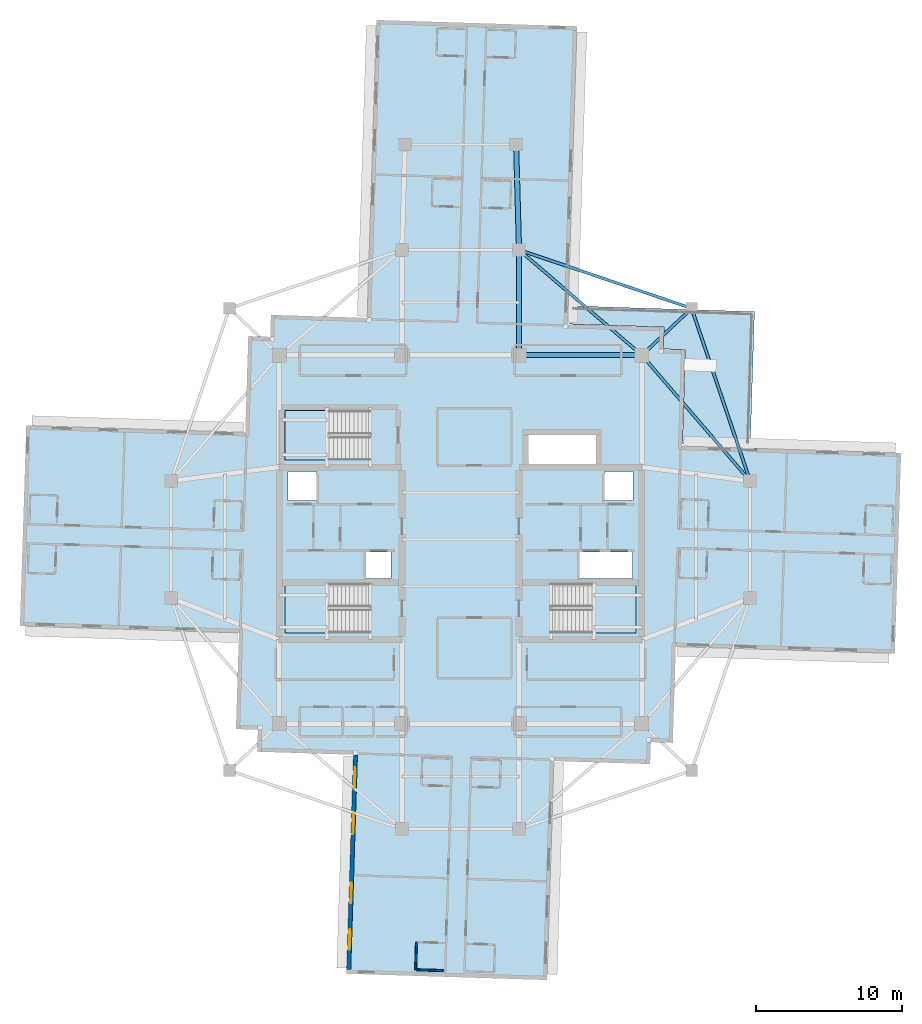
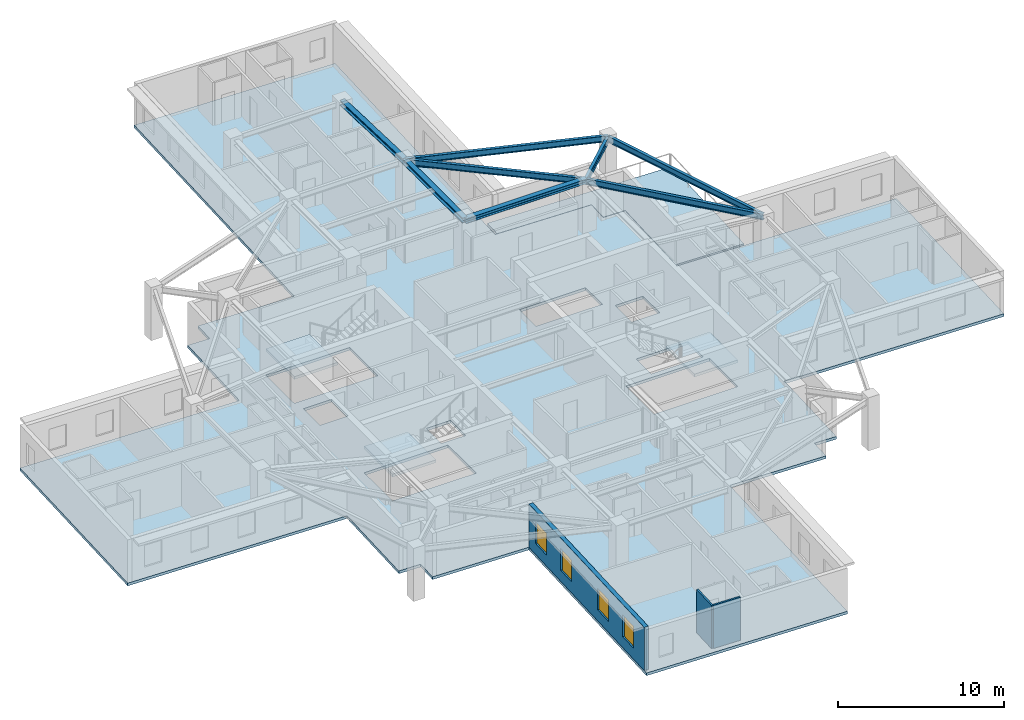
# One storey, part 2 of 12: 8 beams, 5 slabs, 4 windows, 3 walls, 4 openings, 3 elements without a shape of their own.
"""IFC4 building model written with IfcOpenShell, lengths in metres."""

from ifc_helpers import new_model, si_unit, direction, frame, frame_2d, origin, origin_2d, place, context, subcontext, project, spatial, polyline, rectangle, i_section, outline, extrude, material, layer, layer_set, material_profile, profile_set, type_object, element, fill, aggregate, save


model = new_model("IFC4")

# Units and contexts
model_context = context("Model", 3, precision=1e-05, world=origin(), true_north=direction((0.0, 1.0)))
body_context = subcontext(model_context, "Body", "Model", "MODEL_VIEW")
ifc_project = project(units=[si_unit("LENGTHUNIT", "METRE"), si_unit("AREAUNIT", "SQUARE_METRE"), si_unit("VOLUMEUNIT", "CUBIC_METRE"), si_unit("PLANEANGLEUNIT", "RADIAN"), si_unit("MASSUNIT", "GRAM", prefix="KILO")], contexts=[model_context])

# Site, building, storey
site_placement = place(None, origin())
site = spatial("IfcSite", under=ifc_project, at=site_placement, CompositionType="ELEMENT")
building_placement = place(site_placement, origin())
building = spatial("IfcBuilding", under=site, at=building_placement, Name="Qingluan Cross Belvedere", CompositionType="ELEMENT")
storey_placement = place(building_placement, frame((0.0, 0.0, 232.5)))
storey = spatial("IfcBuildingStorey", under=building, at=storey_placement, Name="L58", CompositionType="ELEMENT", Elevation=232.5)

# Beams
ifc_material_1 = material(Name="Steel Q420GJB", Category="steel")
ifc_material_profile_1 = material_profile(ifc_material_1, i_section(OverallWidth=0.199951171875, OverallDepth=0.449951171875, WebThickness=0.009033203125, FlangeThickness=0.013916015625, FilletRadius=0.01611328125, at=origin_2d()), Name="HN450x200x9x14")
ifc_profile_set_1 = profile_set([ifc_material_profile_1], Name="Steel Q420GJB")
beam_type_1 = type_object("IfcBeamType", Name="Steel_Beam_HN450x200x9x14", PredefinedType="JOIST", material=ifc_profile_set_1)
beam_1_placement = place(storey_placement, frame((12.39990234375, 12.60009765625, 3.455078125), z_axis=(0.728219948308, 0.685343495546, 0.0), x_axis=(-0.685343495546, 0.728219948308, 0.0)))
element("IfcBeam", 1, at=beam_1_placement, inside=storey, type_object=beam_type_1, Name="Corner beam 1 L58-RNE", PredefinedType="JOIST", context=body_context, shape_type="SweptSolid", body=[
    extrude(i_section(OverallWidth=0.199951171875, OverallDepth=0.449951171875, WebThickness=0.009033203125, FlangeThickness=0.013916015625, FilletRadius=0.01611328125, at=origin_2d()), origin(), (0.0, 0.0, 1.0), 4.669189453125),
])
for number, where, z_axis, x_axis, name in (
    (2, (15.800048828125, 15.800048828125, 3.47509765625), (-0.947066283324, 0.321038089628, 0.0), (-0.321038089628, -0.947066283324, 0.0), "Corner beam 2 L58-RNE"),
    (3, (15.800048828125, 15.800048828125, 3.455078125), (0.321038089628, -0.947066283324, 0.0), (0.947066283324, 0.321038089628, 0.0), "Corner beam 3 L58-RNE"),
):
    element("IfcBeam", number, at=place(storey_placement, frame(where, z_axis=z_axis, x_axis=x_axis)), inside=storey, type_object=beam_type_1, Name=name, PredefinedType="JOIST", context=body_context, shape_type="SweptSolid", body=[
        extrude(i_section(OverallWidth=0.199951171875, OverallDepth=0.449951171875, WebThickness=0.009033203125, FlangeThickness=0.013916015625, FilletRadius=0.01611328125, at=origin_2d()), origin(), (0.0, 0.0, 1.0), 12.45947265625),
    ])
beam_2_placement = place(storey_placement, frame((12.39990234375, 12.60009765625, 3.455078125), z_axis=(0.652245077546, -0.75800815221, 0.0), x_axis=(0.75800815221, 0.652245077546, 0.0)))
element("IfcBeam", 4, at=beam_2_placement, inside=storey, type_object=beam_type_1, Name="Corner beam 4 L58-RNE", PredefinedType="JOIST", context=body_context, shape_type="SweptSolid", body=[
    extrude(i_section(OverallWidth=0.199951171875, OverallDepth=0.449951171875, WebThickness=0.009033203125, FlangeThickness=0.013916015625, FilletRadius=0.01611328125, at=origin_2d()), origin(), (0.0, 0.0, 1.0), 11.345703125),
])
beam_3_placement = place(storey_placement, frame((12.39990234375, 12.60009765625, 3.455078125), z_axis=(-0.759255044656, 0.650793190779, 0.0), x_axis=(-0.650793190779, -0.759255044656, 0.0)))
element("IfcBeam", 5, at=beam_3_placement, inside=storey, type_object=beam_type_1, Name="Corner beam 5 L58-RNE", PredefinedType="JOIST", context=body_context, shape_type="SweptSolid", body=[
    extrude(i_section(OverallWidth=0.199951171875, OverallDepth=0.449951171875, WebThickness=0.009033203125, FlangeThickness=0.013916015625, FilletRadius=0.01611328125, at=origin_2d()), origin(), (0.0, 0.0, 1.0), 11.063232421875),
])
ifc_material_2 = material(Name="Steel Q420GJB", Category="steel")
ifc_material_profile_2 = material_profile(ifc_material_2, i_section(OverallWidth=0.35009765625, OverallDepth=0.35009765625, WebThickness=0.011962890625, FlangeThickness=0.01904296875, FilletRadius=0.02001953125, at=origin_2d()), Name="HW350x350x12x19")
ifc_profile_set_2 = profile_set([ifc_material_profile_2], Name="Steel Q420GJB")
beam_type_2 = type_object("IfcBeamType", Name="Steel_Girder_HW350x350x12x19", PredefinedType="USERDEFINED", material=ifc_profile_set_2)
beam_4_placement = place(storey_placement, frame((4.0, 12.60009765625, 3.52490234375), z_axis=(1.0, 0.0, 0.0), x_axis=(0.0, 1.0, 0.0)))
element("IfcBeam", 6, at=beam_4_placement, inside=storey, type_object=beam_type_2, Name="Hub girder L58-HG-N3", ObjectType="GIRDER", PredefinedType="USERDEFINED", context=body_context, shape_type="SweptSolid", body=[
    extrude(i_section(OverallWidth=0.35009765625, OverallDepth=0.35009765625, WebThickness=0.011962890625, FlangeThickness=0.01904296875, FilletRadius=0.02001953125, at=origin_2d()), origin(), (0.0, 0.0, 1.0), 8.39990234375),
])
beam_5_placement = place(storey_placement, frame((4.0, 12.60009765625, 3.52490234375), z_axis=(0.0, 1.0, 0.0), x_axis=(-1.0, 0.0, 0.0)))
element("IfcBeam", 7, at=beam_5_placement, inside=storey, type_object=beam_type_2, Name="Arm N radial girder B L58", ObjectType="GIRDER", PredefinedType="USERDEFINED", context=body_context, shape_type="SweptSolid", body=[
    extrude(i_section(OverallWidth=0.35009765625, OverallDepth=0.35009765625, WebThickness=0.011962890625, FlangeThickness=0.01904296875, FilletRadius=0.02001953125, at=origin_2d()), origin(), (0.0, 0.0, 1.0), 7.199951171875),
])
beam_6_placement = place(storey_placement, frame((4.0, 19.800048828125, 3.52490234375), z_axis=(-0.027760481514, 0.999614603568, 0.0), x_axis=(-0.999614603568, -0.027760481514, 0.0)))
element("IfcBeam", 8, at=beam_6_placement, inside=storey, type_object=beam_type_2, Name="Arm N outer radial girder B L58", ObjectType="GIRDER", PredefinedType="USERDEFINED", context=body_context, shape_type="SweptSolid", body=[
    extrude(i_section(OverallWidth=0.35009765625, OverallDepth=0.35009765625, WebThickness=0.011962890625, FlangeThickness=0.01904296875, FilletRadius=0.02001953125, at=origin_2d()), origin(), (0.0, 0.0, 1.0), 7.20263671875),
])

# Slab
ifc_material_3 = material(Name="Concrete C40", Category="concrete")
ifc_layer_1 = layer(ifc_material_3, 0.199951171875, Name="FloorSlab_200")
ifc_layer_set_1 = layer_set([ifc_layer_1], Name="Concrete C40")
slab_type_1 = type_object("IfcSlabType", Name="FloorSlab_200", PredefinedType="FLOOR", material=ifc_layer_set_1)
slab_1_placement = place(storey_placement, frame((0.0, 0.0, -0.199951171875)))
element("IfcSlab", 9, at=slab_1_placement, inside=storey, type_object=slab_type_1, Name="Structural floor slab L58", PredefinedType="FLOOR", context=body_context, shape_type="SweptSolid", body=[
    extrude(outline(polyline([(5.916748046875, -30.12060546875), (6.38720703125, -15.148193359375), (12.964111328125, -15.354736328125), (13.01123046875, -13.85546875), (14.510498046875, -13.902587890625), (14.71728515625, -7.325927734375), (29.689697265625, -7.79638671875), (30.12060546875, 5.916748046875), (15.148193359375, 6.38720703125), (15.354736328125, 12.964111328125), (13.85546875, 13.01123046875), (13.902587890625, 14.510498046875), (7.325927734375, 14.71728515625), (7.966064453125, 35.087158203125), (-5.747314453125, 35.51806640625), (-6.38720703125, 15.148193359375), (-12.964111328125, 15.354736328125), (-13.01123046875, 13.85546875), (-14.510498046875, 13.902587890625), (-14.71728515625, 7.325927734375), (-29.689697265625, 7.79638671875), (-30.12060546875, -5.916748046875), (-15.148193359375, -6.38720703125), (-15.354736328125, -12.964111328125), (-13.85546875, -13.01123046875), (-13.902587890625, -14.510498046875), (-7.325927734375, -14.71728515625), (-7.79638671875, -29.689697265625), (5.916748046875, -30.12060546875)]), holes=[polyline([(-12.0, -3.0), (-6.179931640625, -3.0), (-6.179931640625, -6.39990234375), (-12.0, -6.39990234375), (-12.0, -3.0)]), polyline([(6.179931640625, -3.0), (12.0, -3.0), (12.0, -6.39990234375), (6.179931640625, -6.39990234375), (6.179931640625, -3.0)]), polyline([(-12.0, 8.820068359375), (-6.179931640625, 8.820068359375), (-6.179931640625, 5.419921875), (-12.0, 5.419921875), (-12.0, 8.820068359375)]), polyline([(-11.800048828125, 4.64990234375), (-9.85009765625, 4.64990234375), (-9.85009765625, 2.64990234375), (-11.800048828125, 2.64990234375), (-11.800048828125, 4.64990234375)]), polyline([(9.85009765625, 4.64990234375), (11.800048828125, 4.64990234375), (11.800048828125, 2.64990234375), (9.85009765625, 2.64990234375), (9.85009765625, 4.64990234375)]), polyline([(-6.449951171875, -0.840087890625), (-4.75, -0.840087890625), (-4.75, -2.659912109375), (-6.449951171875, -2.659912109375), (-6.449951171875, -0.840087890625)]), polyline([(8.14990234375, -0.840087890625), (11.75, -0.840087890625), (11.75, -2.659912109375), (8.14990234375, -2.659912109375), (8.14990234375, -0.840087890625)]), polyline([(4.64990234375, 7.14990234375), (9.25, 7.14990234375), (9.25, 5.14990234375), (4.64990234375, 5.14990234375), (4.64990234375, 7.14990234375)])]), origin(), (0.0, 0.0, 1.0), 0.199951171875),
])

# Stair, slab
ifc_material_4 = material(Name="Concrete C40", Category="concrete")
stair_type = type_object("IfcStairType", Name="CoreDoglegStair_1620", PredefinedType="HALF_TURN_STAIR", material=ifc_material_4)
stair_1_placement = place(storey_placement, origin())
stair_1 = element("IfcStair", 10, at=stair_1_placement, inside=storey, type_object=stair_type, Name="L58 ST1", PredefinedType="HALF_TURN_STAIR")
ifc_material_5 = material(Name="Concrete C40", Category="concrete")
ifc_layer_2 = layer(ifc_material_5, 0.179931640625, Name="StairLandingSlab_180")
ifc_layer_set_2 = layer_set([ifc_layer_2], Name="Concrete C40")
slab_type_2 = type_object("IfcSlabType", Name="StairLandingSlab_180", PredefinedType="LANDING", material=ifc_layer_set_2)
slab_2_placement = place(storey_placement, frame((0.0, 0.0, 1.75)))
slab_2 = element("IfcSlab", 11, at=slab_2_placement, type_object=slab_type_2, Name="ST1 landing 1", PredefinedType="LANDING", context=body_context, shape_type="SweptSolid", body=[
    extrude(outline(polyline([(-8.97998046875, -3.0), (-12.0, -3.0), (-12.0, -6.39990234375), (-8.97998046875, -6.39990234375), (-8.97998046875, -3.0)])), origin(), (0.0, 0.0, 1.0), 0.199951171875),
])
aggregate(stair_1, [slab_2])

stair_2_placement = place(storey_placement, origin())
stair_2 = element("IfcStair", 12, at=stair_2_placement, inside=storey, type_object=stair_type, Name="L58 ST2", PredefinedType="HALF_TURN_STAIR")
slab_3_placement = place(storey_placement, frame((0.0, 0.0, 1.75)))
slab_3 = element("IfcSlab", 13, at=slab_3_placement, type_object=slab_type_2, Name="ST2 landing 1", PredefinedType="LANDING", context=body_context, shape_type="SweptSolid", body=[
    extrude(outline(polyline([(8.97998046875, -6.39990234375), (12.0, -6.39990234375), (12.0, -3.0), (8.97998046875, -3.0), (8.97998046875, -6.39990234375)])), origin(), (0.0, 0.0, 1.0), 0.199951171875),
])
aggregate(stair_2, [slab_3])

stair_3_placement = place(storey_placement, origin())
stair_3 = element("IfcStair", 14, at=stair_3_placement, inside=storey, type_object=stair_type, Name="L58 ST3", PredefinedType="HALF_TURN_STAIR")
slab_4_placement = place(storey_placement, frame((0.0, 0.0, 1.75)))
slab_4 = element("IfcSlab", 15, at=slab_4_placement, type_object=slab_type_2, Name="ST3 landing 1", PredefinedType="LANDING", context=body_context, shape_type="SweptSolid", body=[
    extrude(outline(polyline([(-8.97998046875, 8.820068359375), (-12.0, 8.820068359375), (-12.0, 5.419921875), (-8.97998046875, 5.419921875), (-8.97998046875, 8.820068359375)])), origin(), (0.0, 0.0, 1.0), 0.199951171875),
])
aggregate(stair_3, [slab_4])

# Slab
ifc_material_6 = material(Name="Concrete C40", Category="concrete")
ifc_layer_3 = layer(ifc_material_6, 0.219970703125, Name="TerraceSlab_220")
ifc_layer_set_3 = layer_set([ifc_layer_3], Name="Concrete C40")
slab_type_3 = type_object("IfcSlabType", Name="TerraceSlab_220", PredefinedType="FLOOR", material=ifc_layer_set_3)
slab_5_placement = place(storey_placement, frame((0.0, 0.0, -0.219970703125)))
element("IfcSlab", 16, at=slab_5_placement, inside=storey, type_object=slab_type_3, Name="Spiralling winter-garden terrace slab L58", PredefinedType="FLOOR", context=body_context, shape_type="SweptSolid", body=[
    extrude(outline(polyline([(7.466064453125, 14.72265625), (13.908447265625, 14.5185546875), (13.86572265625, 13.02099609375), (15.35498046875, 12.97412109375), (15.36474609375, 12.9658203125), (15.16259765625, 6.527099609375), (19.810302734375, 6.380859375), (20.09912109375, 15.576416015625), (7.50537109375, 15.97216796875), (7.466064453125, 14.72265625)])), origin(), (0.0, 0.0, 1.0), 0.219970703125),
])

# Walls
ifc_material_7 = material(Name="Moisture-resistant gypsum board lining")
ifc_layer_4 = layer(ifc_material_7, 0.1201171875, Name="EnsuiteWetPartition_120")
ifc_layer_set_4 = layer_set([ifc_layer_4], Name="Moisture-resistant gypsum board lining")
wall_type_1 = type_object("IfcWallType", Name="EnsuiteWetPartition_120", PredefinedType="PARTITIONING", material=ifc_layer_set_4)
wall_1_placement = place(storey_placement, frame((-3.005615234375, -29.420166015625, 0.0), z_axis=(0.0, 0.0, 1.0), x_axis=(0.999507221803, -0.031389704724, 0.0)))
element("IfcWall", 17, at=wall_1_placement, inside=storey, type_object=wall_type_1, Name="Partition L58:S:bw1_1", PredefinedType="PARTITIONING", context=body_context, shape_type="SweptSolid", body=[
    extrude(rectangle(XDim=1.820068359375, YDim=0.1201171875, at=frame_2d((0.91015625, 0.0))), origin(), (0.0, 0.0, 1.0), 3.169921875),
])
wall_2_placement = place(storey_placement, frame((-3.011474609375, -27.5390625, 0.0), z_axis=(0.0, 0.0, 1.0), x_axis=(-0.031425292588, -0.999506103526, 0.0)))
element("IfcWall", 18, at=wall_2_placement, inside=storey, type_object=wall_type_1, Name="Partition L58:S:bc1_1", PredefinedType="PARTITIONING", context=body_context, shape_type="SweptSolid", body=[
    extrude(rectangle(XDim=1.880126953125, YDim=0.1201171875, at=frame_2d((0.93994140625, 0.0))), origin(), (0.0, 0.0, 1.0), 3.169921875),
])

# Wall, openings, windows
ifc_material_8 = material(Name="Precast concrete C45", Category="concrete")
ifc_layer_5 = layer(ifc_material_8, 0.280029296875, Name="PrecastFacadeWall_280")
ifc_layer_set_5 = layer_set([ifc_layer_5], Name="Precast concrete C45")
wall_type_2 = type_object("IfcWallType", Name="PrecastFacadeWall_280", PredefinedType="STANDARD", material=ifc_layer_set_5)
wall_3_placement = place(storey_placement, frame((-7.18603515625, -14.721435546875, 0.0), z_axis=(0.0, 0.0, 1.0), x_axis=(-0.031405855522, -0.999506714454, 0.0)))
wall_3 = element("IfcWall", 19, at=wall_3_placement, inside=storey, type_object=wall_type_2, Name="Facade wall L58-SA", PredefinedType="STANDARD", context=body_context, shape_type="SweptSolid", body=[
    extrude(rectangle(XDim=14.7001953125, YDim=0.280029296875, at=frame_2d((7.35009765625, 0.0))), origin(), (0.0, 0.0, 1.0), 3.179931640625),
])
opening_1_placement = place(wall_3_placement, frame((0.85009765625, 0.0, 0.800048828125)))
opening_1 = element("IfcOpeningElement", 20, at=opening_1_placement, cuts=wall_3, Name="Opening W-01", PredefinedType="OPENING", context=body_context, shape_type="SweptSolid", body=[
    extrude(rectangle(XDim=1.39990234375, YDim=1.60009765625, at=frame_2d((0.699951171875, 0.800048828125))), frame((0.0, 0.14990234375, 0.0), z_axis=(0.0, -1.0, 0.0), x_axis=(1.0, 0.0, 0.0)), (0.0, 0.0, 1.0), 0.300048828125),
])
opening_2_placement = place(wall_3_placement, frame((4.050048828125, 0.0, 0.800048828125)))
opening_2 = element("IfcOpeningElement", 21, at=opening_2_placement, cuts=wall_3, Name="Opening W-01", PredefinedType="OPENING", context=body_context, shape_type="SweptSolid", body=[
    extrude(rectangle(XDim=1.39990234375, YDim=1.60009765625, at=frame_2d((0.699951171875, 0.800048828125))), frame((0.0, 0.14990234375, 0.0), z_axis=(0.0, -1.0, 0.0), x_axis=(1.0, 0.0, 0.0)), (0.0, 0.0, 1.0), 0.300048828125),
])
opening_3_placement = place(wall_3_placement, frame((8.75, 0.0, 0.800048828125)))
opening_3 = element("IfcOpeningElement", 22, at=opening_3_placement, cuts=wall_3, Name="Opening W-01", PredefinedType="OPENING", context=body_context, shape_type="SweptSolid", body=[
    extrude(rectangle(XDim=1.39990234375, YDim=1.60009765625, at=frame_2d((0.699951171875, 0.800048828125))), frame((0.0, 0.14990234375, 0.0), z_axis=(0.0, -1.0, 0.0), x_axis=(1.0, 0.0, 0.0)), (0.0, 0.0, 1.0), 0.300048828125),
])
opening_4_placement = place(wall_3_placement, frame((11.949951171875, 0.0, 0.800048828125)))
opening_4 = element("IfcOpeningElement", 23, at=opening_4_placement, cuts=wall_3, Name="Opening W-01", PredefinedType="OPENING", context=body_context, shape_type="SweptSolid", body=[
    extrude(rectangle(XDim=1.39990234375, YDim=1.60009765625, at=frame_2d((0.699951171875, 0.800048828125))), frame((0.0, 0.14990234375, 0.0), z_axis=(0.0, -1.0, 0.0), x_axis=(1.0, 0.0, 0.0)), (0.0, 0.0, 1.0), 0.300048828125),
])
ifc_material_9 = material(Name="Thermally broken triple Low-E glass in aluminium frame", Category="aluminium")
window_type = type_object("IfcWindowType", Name="TriRibbonWin_1400x1600", PartitioningType="SINGLE_PANEL", PredefinedType="WINDOW", material=ifc_material_9)
window_1_placement = place(opening_1_placement, origin())
window_1 = element("IfcWindow", 24, at=window_1_placement, inside=storey, type_object=window_type, Name="Ribbon window L58-SA-1", OverallHeight=1.60009765625, OverallWidth=1.39990234375, PartitioningType="SINGLE_PANEL", PredefinedType="WINDOW", context=body_context, shape_type="SweptSolid", body=[
    extrude(rectangle(XDim=1.39990234375, YDim=1.60009765625, at=frame_2d((0.699951171875, 0.800048828125))), frame((0.0, 0.030029296875, 0.0), z_axis=(0.0, -1.0, 0.0), x_axis=(1.0, 0.0, 0.0)), (0.0, 0.0, 1.0), 0.06005859375),
])
fill(opening_1, window_1)
window_2_placement = place(opening_2_placement, origin())
window_2 = element("IfcWindow", 25, at=window_2_placement, inside=storey, type_object=window_type, Name="Ribbon window L58-SA-2", OverallHeight=1.60009765625, OverallWidth=1.39990234375, PartitioningType="SINGLE_PANEL", PredefinedType="WINDOW", context=body_context, shape_type="SweptSolid", body=[
    extrude(rectangle(XDim=1.39990234375, YDim=1.60009765625, at=frame_2d((0.699951171875, 0.800048828125))), frame((0.0, 0.030029296875, 0.0), z_axis=(0.0, -1.0, 0.0), x_axis=(1.0, 0.0, 0.0)), (0.0, 0.0, 1.0), 0.06005859375),
])
fill(opening_2, window_2)
window_3_placement = place(opening_3_placement, origin())
window_3 = element("IfcWindow", 26, at=window_3_placement, inside=storey, type_object=window_type, Name="Ribbon window L58-SA-3", OverallHeight=1.60009765625, OverallWidth=1.39990234375, PartitioningType="SINGLE_PANEL", PredefinedType="WINDOW", context=body_context, shape_type="SweptSolid", body=[
    extrude(rectangle(XDim=1.39990234375, YDim=1.60009765625, at=frame_2d((0.699951171875, 0.800048828125))), frame((0.0, 0.030029296875, 0.0), z_axis=(0.0, -1.0, 0.0), x_axis=(1.0, 0.0, 0.0)), (0.0, 0.0, 1.0), 0.06005859375),
])
fill(opening_3, window_3)
window_4_placement = place(opening_4_placement, origin())
window_4 = element("IfcWindow", 27, at=window_4_placement, inside=storey, type_object=window_type, Name="Ribbon window L58-SA-4", OverallHeight=1.60009765625, OverallWidth=1.39990234375, PartitioningType="SINGLE_PANEL", PredefinedType="WINDOW", context=body_context, shape_type="SweptSolid", body=[
    extrude(rectangle(XDim=1.39990234375, YDim=1.60009765625, at=frame_2d((0.699951171875, 0.800048828125))), frame((0.0, 0.030029296875, 0.0), z_axis=(0.0, -1.0, 0.0), x_axis=(1.0, 0.0, 0.0)), (0.0, 0.0, 1.0), 0.06005859375),
])
fill(opening_4, window_4)

save(model, "model.ifc")
